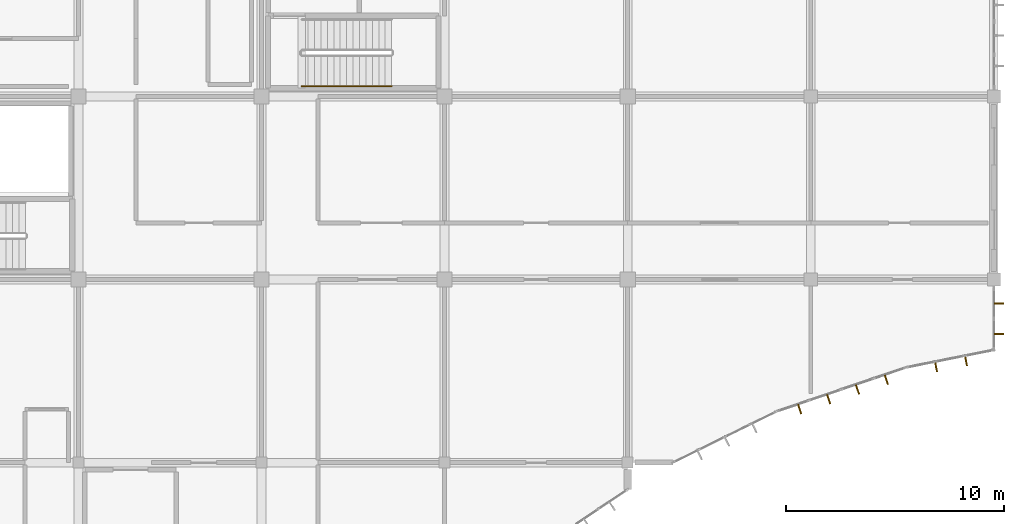
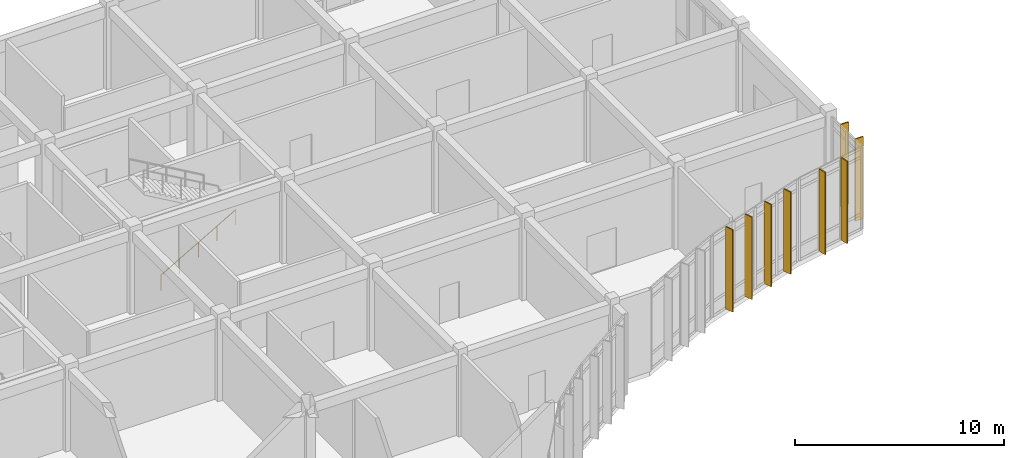
# One storey, part 132 of 134: 8 shading devices, 1 railing.
"""IFC4 building model written with IfcOpenShell, lengths in metres."""

from ifc_helpers import new_model, si_unit, direction, frame, origin, origin_2d, place, context, subcontext, project, spatial, rectangle, circle, extrude, material, material_profile, profile_set, type_object, element, save


model = new_model("IFC4")

# Units and contexts
model_context = context("Model", 3, precision=1e-05, world=origin(), true_north=direction((0.0, 1.0)))
body_context = subcontext(model_context, "Body", "Model", "MODEL_VIEW")
ifc_project = project(units=[si_unit("LENGTHUNIT", "METRE"), si_unit("AREAUNIT", "SQUARE_METRE"), si_unit("VOLUMEUNIT", "CUBIC_METRE"), si_unit("PLANEANGLEUNIT", "RADIAN"), si_unit("MASSUNIT", "GRAM", prefix="KILO")], contexts=[model_context])

# Site, building, storey
site_placement = place(None, origin())
site = spatial("IfcSite", under=ifc_project, at=site_placement, CompositionType="ELEMENT")
building_placement = place(site_placement, origin())
building = spatial("IfcBuilding", under=site, at=building_placement, Name="Bramfleet General Hospital", CompositionType="ELEMENT")
storey_placement = place(building_placement, frame((0.0, 0.0, 9.300048828125)))
storey = spatial("IfcBuildingStorey", under=building, at=storey_placement, Name="L02", CompositionType="ELEMENT", Elevation=9.300048828125)

# Railing
ifc_material_1 = material(Name="Stainless steel 1.4301 stair handrail", Category="steel")
railing_type = type_object("IfcRailingType", Name="RAIL-ST-HND", PredefinedType="HANDRAIL", material=ifc_material_1)
railing_placement = place(storey_placement, frame((136.239990234375, 101.27001953125, 0.169921875)))
element("IfcRailing", 1, at=railing_placement, inside=storey, type_object=railing_type, Name="L02 ST-C9 stair handrail 1", PredefinedType="HANDRAIL", context=body_context, shape_type="SweptSolid", body=[
    extrude(circle(Radius=0.02392578125, at=origin_2d()), frame((0.0, 0.0, 0.8759765625), z_axis=(0.866425082981, 0.0, 0.499307095465), x_axis=(0.0, 1.0, 0.0)), (0.0, 0.0, 1.0), 4.766845703125),
    extrude(circle(Radius=0.02099609375, at=origin_2d()), origin(), (0.0, 0.0, 1.0), 0.851806640625),
    extrude(circle(Radius=0.02099609375, at=origin_2d()), frame((1.032470703125, 0.0, 0.594970703125)), (0.0, 0.0, 1.0), 0.851806640625),
    extrude(circle(Radius=0.02099609375, at=origin_2d()), frame((2.06494140625, 0.0, 1.18994140625)), (0.0, 0.0, 1.0), 0.851806640625),
    extrude(circle(Radius=0.02099609375, at=origin_2d()), frame((3.09765625, 0.0, 1.78515625)), (0.0, 0.0, 1.0), 0.851806640625),
    extrude(circle(Radius=0.02099609375, at=origin_2d()), frame((4.130126953125, 0.0, 2.380126953125)), (0.0, 0.0, 1.0), 0.851806640625),
])

# Shading devices
ifc_material_2 = material(Name="Treated European larch timber", Category="wood")
ifc_material_profile = material_profile(ifc_material_2, rectangle(XDim=0.06494140625, YDim=0.449951171875, at=origin_2d()), Name="LARCH FIN 450x65")
ifc_profile_set = profile_set([ifc_material_profile], Name="Treated European larch timber")
shading_device_type = type_object("IfcShadingDeviceType", Name="SHD-FIN-450", PredefinedType="USERDEFINED", material=ifc_profile_set)
for number, where, z_axis, x_axis, name in (
    (2, (168.239990234375, 91.294921875, -0.02001953125), (0.0, 0.0, 1.0), (0.0, -1.0, 0.0), "L02 Larch Timber Shading Fin 401"),
    (3, (168.239990234375, 89.89501953125, -0.02001953125), (0.0, 0.0, 1.0), (0.0, -1.0, 0.0), "L02 Larch Timber Shading Fin 402"),
    (4, (166.721923828125, 88.665771484375, -0.02001953125), (0.0, 0.0, 1.0), (-0.980749087161, -0.195272189606, 0.0), "L02 Larch Timber Shading Fin 403"),
    (5, (165.348876953125, 88.392333984375, -0.02001953125), (0.0, 0.0, 1.0), (-0.980749087161, -0.195272189606, 0.0), "L02 Larch Timber Shading Fin 404"),
    (6, (163.069580078125, 87.802490234375, -0.02001953125), (0.0, 0.0, 1.0), (-0.946949276617, -0.321383054181, 0.0), "L02 Larch Timber Shading Fin 405"),
    (7, (161.743896484375, 87.352783203125, -0.02001953125), (0.0, 0.0, 1.0), (-0.946949276617, -0.321383054181, 0.0), "L02 Larch Timber Shading Fin 406"),
    (8, (160.418212890625, 86.90283203125, -0.02001953125), (0.0, 0.0, 1.0), (-0.946949276617, -0.321383054181, 0.0), "L02 Larch Timber Shading Fin 407"),
    (9, (159.092529296875, 86.452880859375, -0.02001953125), (0.0, 0.0, 1.0), (-0.946949276617, -0.321383054181, 0.0), "L02 Larch Timber Shading Fin 408"),
):
    element("IfcShadingDevice", number, at=place(storey_placement, frame(where, z_axis=z_axis, x_axis=x_axis)), inside=storey, type_object=shading_device_type, Name=name, ObjectType="Fin", PredefinedType="USERDEFINED", context=body_context, shape_type="SweptSolid", body=[
        extrude(rectangle(XDim=0.06494140625, YDim=0.449951171875, at=origin_2d()), origin(), (0.0, 0.0, 1.0), 4.800048828125),
    ])

save(model, "model.ifc")
